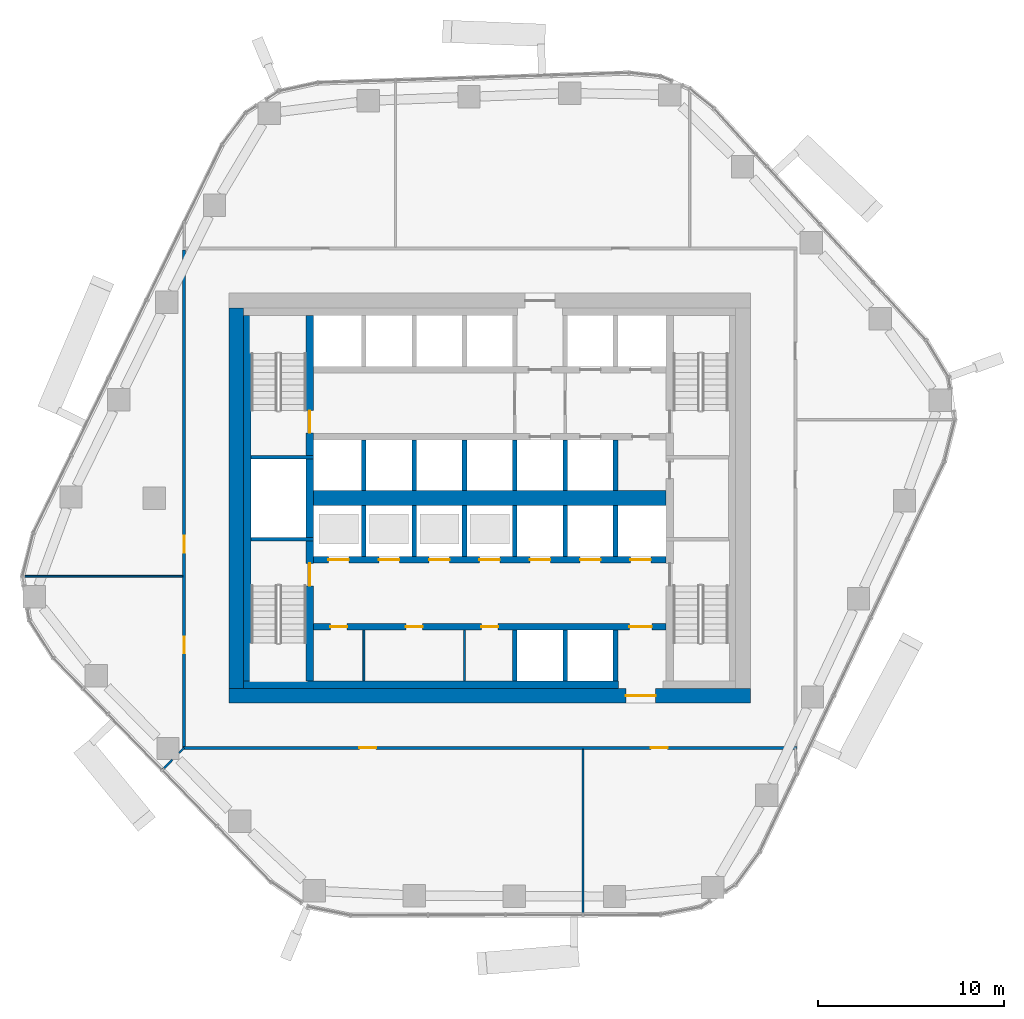
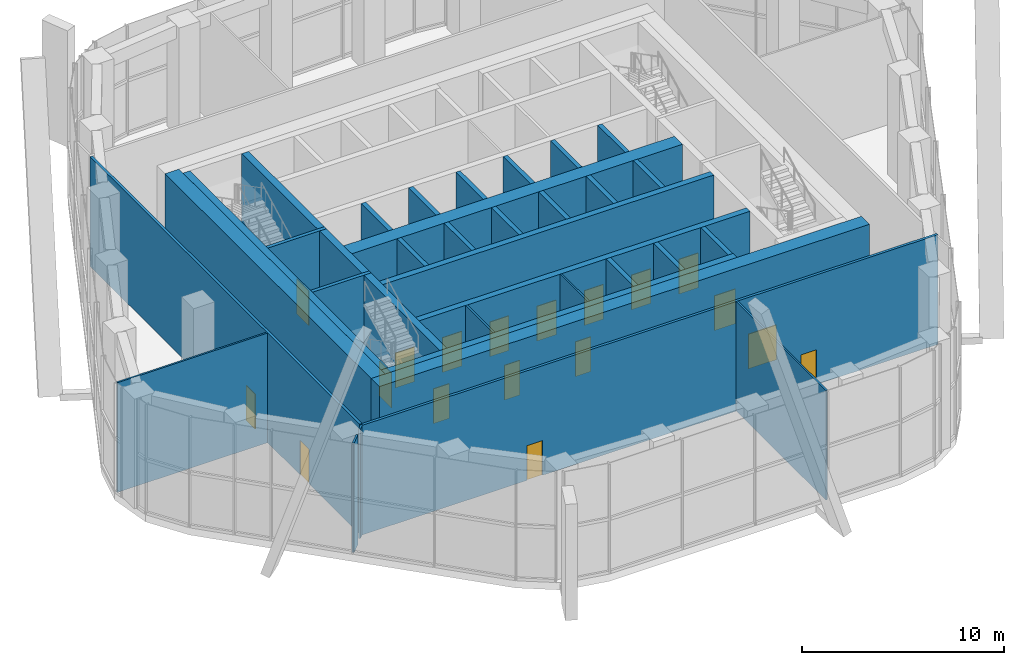
# One storey, part 12 of 20: 35 walls, 18 doors, 18 openings.
"""IFC4 building model written with IfcOpenShell, lengths in metres."""

from ifc_helpers import new_model, si_unit, direction, frame, frame_2d, origin, place, context, subcontext, project, spatial, rectangle, extrude, material, layer, layer_set, type_object, element, fill, save


model = new_model("IFC4")

# Units and contexts
model_context = context("Model", 3, precision=1e-05, world=origin(), true_north=direction((0.0, 1.0)))
body_context = subcontext(model_context, "Body", "Model", "MODEL_VIEW")
ifc_project = project(units=[si_unit("LENGTHUNIT", "METRE"), si_unit("AREAUNIT", "SQUARE_METRE"), si_unit("VOLUMEUNIT", "CUBIC_METRE"), si_unit("PLANEANGLEUNIT", "RADIAN"), si_unit("MASSUNIT", "GRAM", prefix="KILO")], contexts=[model_context])

# Site, building, storey
site_placement = place(None, origin())
site = spatial("IfcSite", under=ifc_project, at=site_placement, CompositionType="ELEMENT")
building_placement = place(site_placement, origin())
building = spatial("IfcBuilding", under=site, at=building_placement, Name="Dongbaek Canopy Tower", CompositionType="ELEMENT")
storey_placement = place(building_placement, frame((0.0, 0.0, 151.60009765625)))
storey = spatial("IfcBuildingStorey", under=building, at=storey_placement, Name="L33", CompositionType="ELEMENT", Elevation=151.60009765625)

# Wall
ifc_material_1 = material(Name="Concrete C60/75", Category="concrete")
ifc_layer_1 = layer(ifc_material_1, 0.800048828125)
ifc_layer_set_1 = layer_set([ifc_layer_1], Name="Core central wall 800 Concrete C60/75")
wall_type_1 = type_object("IfcWallType", Name="Core central wall 800 Concrete C60/75", PredefinedType="SHEAR", material=ifc_layer_set_1)
wall_1_placement = place(storey_placement, frame((-9.449951171875, 0.0, 0.0), z_axis=(0.0, 0.0, 1.0), x_axis=(1.0, 0.0, 0.0)))
element("IfcWall", 1, at=wall_1_placement, inside=storey, type_object=wall_type_1, Name="Core wall", PredefinedType="SHEAR", context=body_context, shape_type="SweptSolid", body=[
    extrude(rectangle(XDim=18.89990234375, YDim=0.800048828125, at=frame_2d((9.449951171875, 0.0))), origin(), (0.0, 0.0, 1.0), 6.619873046875),
])

# Wall, openings, doors
ifc_material_2 = material(Name="Concrete C60/75", Category="concrete")
ifc_layer_2 = layer(ifc_material_2, 0.35009765625)
ifc_layer_set_2 = layer_set([ifc_layer_2], Name="Core lobby wall 350 Concrete C60/75")
wall_type_2 = type_object("IfcWallType", Name="Core lobby wall 350 Concrete C60/75", PredefinedType="SHEAR", material=ifc_layer_set_2)
wall_2_placement = place(storey_placement, frame((-9.449951171875, -3.300048828125, 0.0), z_axis=(0.0, 0.0, 1.0), x_axis=(1.0, 0.0, 0.0)))
wall_2 = element("IfcWall", 2, at=wall_2_placement, inside=storey, type_object=wall_type_2, Name="Core wall", PredefinedType="SHEAR", context=body_context, shape_type="SweptSolid", body=[
    extrude(rectangle(XDim=18.89990234375, YDim=0.35009765625, at=frame_2d((9.449951171875, 0.0))), origin(), (0.0, 0.0, 1.0), 6.619873046875),
])
opening_1_placement = place(wall_2_placement, frame((0.800048828125, 0.0, 0.0)))
opening_1 = element("IfcOpeningElement", 3, at=opening_1_placement, cuts=wall_2, Name="Opening L33-D017", PredefinedType="OPENING", context=body_context, shape_type="SweptSolid", body=[
    extrude(rectangle(XDim=1.10009765625, YDim=2.10009765625, at=frame_2d((0.550048828125, 1.050048828125))), frame((0.0, 0.18505859375, 0.0), z_axis=(0.0, -1.0, 0.0), x_axis=(1.0, 0.0, 0.0)), (0.0, 0.0, 1.0), 0.3701171875),
])
opening_2_placement = place(wall_2_placement, frame((3.5, 0.0, 0.0)))
opening_2 = element("IfcOpeningElement", 4, at=opening_2_placement, cuts=wall_2, Name="Opening L33-D018", PredefinedType="OPENING", context=body_context, shape_type="SweptSolid", body=[
    extrude(rectangle(XDim=1.10009765625, YDim=2.10009765625, at=frame_2d((0.550048828125, 1.050048828125))), frame((0.0, 0.18505859375, 0.0), z_axis=(0.0, -1.0, 0.0), x_axis=(1.0, 0.0, 0.0)), (0.0, 0.0, 1.0), 0.3701171875),
])
opening_3_placement = place(wall_2_placement, frame((6.199951171875, 0.0, 0.0)))
opening_3 = element("IfcOpeningElement", 5, at=opening_3_placement, cuts=wall_2, Name="Opening L33-D019", PredefinedType="OPENING", context=body_context, shape_type="SweptSolid", body=[
    extrude(rectangle(XDim=1.10009765625, YDim=2.10009765625, at=frame_2d((0.550048828125, 1.050048828125))), frame((0.0, 0.18505859375, 0.0), z_axis=(0.0, -1.0, 0.0), x_axis=(1.0, 0.0, 0.0)), (0.0, 0.0, 1.0), 0.3701171875),
])
opening_4_placement = place(wall_2_placement, frame((8.89990234375, 0.0, 0.0)))
opening_4 = element("IfcOpeningElement", 6, at=opening_4_placement, cuts=wall_2, Name="Opening L33-D020", PredefinedType="OPENING", context=body_context, shape_type="SweptSolid", body=[
    extrude(rectangle(XDim=1.10009765625, YDim=2.10009765625, at=frame_2d((0.550048828125, 1.050048828125))), frame((0.0, 0.18505859375, 0.0), z_axis=(0.0, -1.0, 0.0), x_axis=(1.0, 0.0, 0.0)), (0.0, 0.0, 1.0), 0.3701171875),
])
opening_5_placement = place(wall_2_placement, frame((11.60009765625, 0.0, 0.0)))
opening_5 = element("IfcOpeningElement", 7, at=opening_5_placement, cuts=wall_2, Name="Opening L33-D021", PredefinedType="OPENING", context=body_context, shape_type="SweptSolid", body=[
    extrude(rectangle(XDim=1.10009765625, YDim=2.10009765625, at=frame_2d((0.550048828125, 1.050048828125))), frame((0.0, 0.18505859375, 0.0), z_axis=(0.0, -1.0, 0.0), x_axis=(1.0, 0.0, 0.0)), (0.0, 0.0, 1.0), 0.3701171875),
])
opening_6_placement = place(wall_2_placement, frame((14.300048828125, 0.0, 0.0)))
opening_6 = element("IfcOpeningElement", 8, at=opening_6_placement, cuts=wall_2, Name="Opening L33-D022", PredefinedType="OPENING", context=body_context, shape_type="SweptSolid", body=[
    extrude(rectangle(XDim=1.10009765625, YDim=2.10009765625, at=frame_2d((0.550048828125, 1.050048828125))), frame((0.0, 0.18505859375, 0.0), z_axis=(0.0, -1.0, 0.0), x_axis=(1.0, 0.0, 0.0)), (0.0, 0.0, 1.0), 0.3701171875),
])
opening_7_placement = place(wall_2_placement, frame((17.0, 0.0, 0.0)))
opening_7 = element("IfcOpeningElement", 9, at=opening_7_placement, cuts=wall_2, Name="Opening L33-D023", PredefinedType="OPENING", context=body_context, shape_type="SweptSolid", body=[
    extrude(rectangle(XDim=1.10009765625, YDim=2.10009765625, at=frame_2d((0.550048828125, 1.050048828125))), frame((0.0, 0.18505859375, 0.0), z_axis=(0.0, -1.0, 0.0), x_axis=(1.0, 0.0, 0.0)), (0.0, 0.0, 1.0), 0.3701171875),
])
ifc_material_3 = material(Name="Stainless steel", Category="steel")
door_type_1 = type_object("IfcDoorType", Name="Lift landing door 1100 x 2100", OperationType="DOUBLE_DOOR_SLIDING", PredefinedType="DOOR", material=ifc_material_3)
door_1_placement = place(opening_1_placement, origin())
door_1 = element("IfcDoor", 10, at=door_1_placement, inside=storey, type_object=door_type_1, Name="Landing door MR1", OperationType="DOUBLE_DOOR_SLIDING", OverallHeight=2.10009765625, OverallWidth=1.10009765625, PredefinedType="DOOR", context=body_context, shape_type="SweptSolid", body=[
    extrude(rectangle(XDim=1.10009765625, YDim=2.10009765625, at=frame_2d((0.550048828125, 1.050048828125))), frame((0.0, 0.02490234375, 0.0), z_axis=(0.0, -1.0, 0.0), x_axis=(1.0, 0.0, 0.0)), (0.0, 0.0, 1.0), 0.050048828125),
])
fill(opening_1, door_1)
door_2_placement = place(opening_2_placement, origin())
door_2 = element("IfcDoor", 11, at=door_2_placement, inside=storey, type_object=door_type_1, Name="Landing door MR2", OperationType="DOUBLE_DOOR_SLIDING", OverallHeight=2.10009765625, OverallWidth=1.10009765625, PredefinedType="DOOR", context=body_context, shape_type="SweptSolid", body=[
    extrude(rectangle(XDim=1.10009765625, YDim=2.10009765625, at=frame_2d((0.550048828125, 1.050048828125))), frame((0.0, 0.02490234375, 0.0), z_axis=(0.0, -1.0, 0.0), x_axis=(1.0, 0.0, 0.0)), (0.0, 0.0, 1.0), 0.050048828125),
])
fill(opening_2, door_2)
door_3_placement = place(opening_3_placement, origin())
door_3 = element("IfcDoor", 12, at=door_3_placement, inside=storey, type_object=door_type_1, Name="Landing door MR3", OperationType="DOUBLE_DOOR_SLIDING", OverallHeight=2.10009765625, OverallWidth=1.10009765625, PredefinedType="DOOR", context=body_context, shape_type="SweptSolid", body=[
    extrude(rectangle(XDim=1.10009765625, YDim=2.10009765625, at=frame_2d((0.550048828125, 1.050048828125))), frame((0.0, 0.02490234375, 0.0), z_axis=(0.0, -1.0, 0.0), x_axis=(1.0, 0.0, 0.0)), (0.0, 0.0, 1.0), 0.050048828125),
])
fill(opening_3, door_3)
door_4_placement = place(opening_4_placement, origin())
door_4 = element("IfcDoor", 13, at=door_4_placement, inside=storey, type_object=door_type_1, Name="Landing door MR4", OperationType="DOUBLE_DOOR_SLIDING", OverallHeight=2.10009765625, OverallWidth=1.10009765625, PredefinedType="DOOR", context=body_context, shape_type="SweptSolid", body=[
    extrude(rectangle(XDim=1.10009765625, YDim=2.10009765625, at=frame_2d((0.550048828125, 1.050048828125))), frame((0.0, 0.02490234375, 0.0), z_axis=(0.0, -1.0, 0.0), x_axis=(1.0, 0.0, 0.0)), (0.0, 0.0, 1.0), 0.050048828125),
])
fill(opening_4, door_4)
door_5_placement = place(opening_5_placement, origin())
door_5 = element("IfcDoor", 14, at=door_5_placement, inside=storey, type_object=door_type_1, Name="Landing door SH1", OperationType="DOUBLE_DOOR_SLIDING", OverallHeight=2.10009765625, OverallWidth=1.10009765625, PredefinedType="DOOR", context=body_context, shape_type="SweptSolid", body=[
    extrude(rectangle(XDim=1.10009765625, YDim=2.10009765625, at=frame_2d((0.550048828125, 1.050048828125))), frame((0.0, 0.02490234375, 0.0), z_axis=(0.0, -1.0, 0.0), x_axis=(1.0, 0.0, 0.0)), (0.0, 0.0, 1.0), 0.050048828125),
])
fill(opening_5, door_5)
door_6_placement = place(opening_6_placement, origin())
door_6 = element("IfcDoor", 15, at=door_6_placement, inside=storey, type_object=door_type_1, Name="Landing door SH2", OperationType="DOUBLE_DOOR_SLIDING", OverallHeight=2.10009765625, OverallWidth=1.10009765625, PredefinedType="DOOR", context=body_context, shape_type="SweptSolid", body=[
    extrude(rectangle(XDim=1.10009765625, YDim=2.10009765625, at=frame_2d((0.550048828125, 1.050048828125))), frame((0.0, 0.02490234375, 0.0), z_axis=(0.0, -1.0, 0.0), x_axis=(1.0, 0.0, 0.0)), (0.0, 0.0, 1.0), 0.050048828125),
])
fill(opening_6, door_6)
door_7_placement = place(opening_7_placement, origin())
door_7 = element("IfcDoor", 16, at=door_7_placement, inside=storey, type_object=door_type_1, Name="Landing door SV2", OperationType="DOUBLE_DOOR_SLIDING", OverallHeight=2.10009765625, OverallWidth=1.10009765625, PredefinedType="DOOR", context=body_context, shape_type="SweptSolid", body=[
    extrude(rectangle(XDim=1.10009765625, YDim=2.10009765625, at=frame_2d((0.550048828125, 1.050048828125))), frame((0.0, 0.02490234375, 0.0), z_axis=(0.0, -1.0, 0.0), x_axis=(1.0, 0.0, 0.0)), (0.0, 0.0, 1.0), 0.050048828125),
])
fill(opening_7, door_7)

wall_3_placement = place(storey_placement, frame((9.449951171875, -6.89990234375, 0.0), z_axis=(0.0, 0.0, 1.0), x_axis=(-1.0, 0.0, 0.0)))
wall_3 = element("IfcWall", 17, at=wall_3_placement, inside=storey, type_object=wall_type_2, Name="Core wall", PredefinedType="SHEAR", context=body_context, shape_type="SweptSolid", body=[
    extrude(rectangle(XDim=18.89990234375, YDim=0.35009765625, at=frame_2d((9.449951171875, 0.0))), origin(), (0.0, 0.0, 1.0), 6.619873046875),
])
opening_8_placement = place(wall_3_placement, frame((0.75, 0.0, 0.0)))
opening_8 = element("IfcOpeningElement", 18, at=opening_8_placement, cuts=wall_3, Name="Opening L33-D025", PredefinedType="OPENING", context=body_context, shape_type="SweptSolid", body=[
    extrude(rectangle(XDim=1.199951171875, YDim=2.10009765625, at=frame_2d((0.60009765625, 1.050048828125))), frame((0.0, 0.18505859375, 0.0), z_axis=(0.0, -1.0, 0.0), x_axis=(1.0, 0.0, 0.0)), (0.0, 0.0, 1.0), 0.3701171875),
])
opening_9_placement = place(wall_3_placement, frame((17.10009765625, 0.0, 0.0)))
opening_9 = element("IfcOpeningElement", 19, at=opening_9_placement, cuts=wall_3, Name="Opening L33-D026", PredefinedType="OPENING", context=body_context, shape_type="SweptSolid", body=[
    extrude(rectangle(XDim=0.89990234375, YDim=2.10009765625, at=frame_2d((0.449951171875, 1.050048828125))), frame((0.0, 0.18505859375, 0.0), z_axis=(0.0, -1.0, 0.0), x_axis=(1.0, 0.0, 0.0)), (0.0, 0.0, 1.0), 0.3701171875),
])
opening_10_placement = place(wall_3_placement, frame((13.050048828125, 0.0, 0.0)))
opening_10 = element("IfcOpeningElement", 20, at=opening_10_placement, cuts=wall_3, Name="Opening L33-D027", PredefinedType="OPENING", context=body_context, shape_type="SweptSolid", body=[
    extrude(rectangle(XDim=0.89990234375, YDim=2.10009765625, at=frame_2d((0.449951171875, 1.050048828125))), frame((0.0, 0.18505859375, 0.0), z_axis=(0.0, -1.0, 0.0), x_axis=(1.0, 0.0, 0.0)), (0.0, 0.0, 1.0), 0.3701171875),
])
opening_11_placement = place(wall_3_placement, frame((9.0, 0.0, 0.0)))
opening_11 = element("IfcOpeningElement", 21, at=opening_11_placement, cuts=wall_3, Name="Opening L33-D028", PredefinedType="OPENING", context=body_context, shape_type="SweptSolid", body=[
    extrude(rectangle(XDim=0.89990234375, YDim=2.10009765625, at=frame_2d((0.449951171875, 1.050048828125))), frame((0.0, 0.18505859375, 0.0), z_axis=(0.0, -1.0, 0.0), x_axis=(1.0, 0.0, 0.0)), (0.0, 0.0, 1.0), 0.3701171875),
])
ifc_material_4 = material(Name="Steel", Category="steel")
door_type_2 = type_object("IfcDoorType", Name="Core room door 900 x 2100", OperationType="SINGLE_SWING_LEFT", PredefinedType="DOOR", material=ifc_material_4)
door_8_placement = place(opening_9_placement, origin())
door_8 = element("IfcDoor", 22, at=door_8_placement, inside=storey, type_object=door_type_2, Name="Door L33-D026", OperationType="SINGLE_SWING_RIGHT", OverallHeight=2.10009765625, OverallWidth=0.89990234375, PredefinedType="DOOR", context=body_context, shape_type="SweptSolid", body=[
    extrude(rectangle(XDim=0.89990234375, YDim=2.10009765625, at=frame_2d((0.449951171875, 1.050048828125))), frame((0.0, 0.02490234375, 0.0), z_axis=(0.0, -1.0, 0.0), x_axis=(1.0, 0.0, 0.0)), (0.0, 0.0, 1.0), 0.050048828125),
])
fill(opening_9, door_8)
door_9_placement = place(opening_10_placement, origin())
door_9 = element("IfcDoor", 23, at=door_9_placement, inside=storey, type_object=door_type_2, Name="Door L33-D027", OperationType="SINGLE_SWING_LEFT", OverallHeight=2.10009765625, OverallWidth=0.89990234375, PredefinedType="DOOR", context=body_context, shape_type="SweptSolid", body=[
    extrude(rectangle(XDim=0.89990234375, YDim=2.10009765625, at=frame_2d((0.449951171875, 1.050048828125))), frame((0.0, 0.02490234375, 0.0), z_axis=(0.0, -1.0, 0.0), x_axis=(1.0, 0.0, 0.0)), (0.0, 0.0, 1.0), 0.050048828125),
])
fill(opening_10, door_9)
door_10_placement = place(opening_11_placement, origin())
door_10 = element("IfcDoor", 24, at=door_10_placement, inside=storey, type_object=door_type_2, Name="Door L33-D028", OperationType="SINGLE_SWING_RIGHT", OverallHeight=2.10009765625, OverallWidth=0.89990234375, PredefinedType="DOOR", context=body_context, shape_type="SweptSolid", body=[
    extrude(rectangle(XDim=0.89990234375, YDim=2.10009765625, at=frame_2d((0.449951171875, 1.050048828125))), frame((0.0, 0.02490234375, 0.0), z_axis=(0.0, -1.0, 0.0), x_axis=(1.0, 0.0, 0.0)), (0.0, 0.0, 1.0), 0.050048828125),
])
fill(opening_11, door_10)
ifc_material_5 = material(Name="Steel", Category="steel")
door_type_3 = type_object("IfcDoorType", Name="Fire lobby door 1200 x 2100", OperationType="SINGLE_SWING_LEFT", PredefinedType="DOOR", material=ifc_material_5)
door_11_placement = place(opening_8_placement, origin())
door_11 = element("IfcDoor", 25, at=door_11_placement, inside=storey, type_object=door_type_3, Name="Door L33-D025", OperationType="SINGLE_SWING_LEFT", OverallHeight=2.10009765625, OverallWidth=1.199951171875, PredefinedType="DOOR", context=body_context, shape_type="SweptSolid", body=[
    extrude(rectangle(XDim=1.199951171875, YDim=2.10009765625, at=frame_2d((0.60009765625, 1.050048828125))), frame((0.0, 0.02490234375, 0.0), z_axis=(0.0, -1.0, 0.0), x_axis=(1.0, 0.0, 0.0)), (0.0, 0.0, 1.0), 0.050048828125),
])
fill(opening_8, door_11)

# Wall, opening, door
ifc_material_6 = material(Name="Concrete C70/85", Category="concrete")
ifc_layer_3 = layer(ifc_material_6, 0.800048828125)
ifc_layer_set_3 = layer_set([ifc_layer_3], Name="Core outer wall 800 Concrete C70/85")
wall_type_3 = type_object("IfcWallType", Name="Core outer wall 800 Concrete C70/85", PredefinedType="SHEAR", material=ifc_layer_set_3)
wall_4_placement = place(storey_placement, frame((14.0, -10.60009765625, 0.0), z_axis=(0.0, 0.0, 1.0), x_axis=(-1.0, 0.0, 0.0)))
wall_4 = element("IfcWall", 26, at=wall_4_placement, inside=storey, type_object=wall_type_3, Name="Core wall", PredefinedType="SHEAR", context=body_context, shape_type="SweptSolid", body=[
    extrude(rectangle(XDim=28.0, YDim=0.800048828125, at=frame_2d((14.0, 0.0))), origin(), (0.0, 0.0, 1.0), 6.619873046875),
])
opening_12_placement = place(wall_4_placement, frame((5.10009765625, 0.0, 0.0)))
opening_12 = element("IfcOpeningElement", 27, at=opening_12_placement, cuts=wall_4, Name="Opening L33-D024", PredefinedType="OPENING", context=body_context, shape_type="SweptSolid", body=[
    extrude(rectangle(XDim=1.60009765625, YDim=2.10009765625, at=frame_2d((0.800048828125, 1.050048828125))), frame((0.0, 0.409912109375, 0.0), z_axis=(0.0, -1.0, 0.0), x_axis=(1.0, 0.0, 0.0)), (0.0, 0.0, 1.0), 0.820068359375),
])
ifc_material_7 = material(Name="Steel", Category="steel")
door_type_4 = type_object("IfcDoorType", Name="Core exit door 1600 x 2100", OperationType="DOUBLE_DOOR_SINGLE_SWING", PredefinedType="DOOR", material=ifc_material_7)
door_12_placement = place(opening_12_placement, origin())
door_12 = element("IfcDoor", 28, at=door_12_placement, inside=storey, type_object=door_type_4, Name="Core exit door", OperationType="DOUBLE_DOOR_SINGLE_SWING", OverallHeight=2.10009765625, OverallWidth=1.60009765625, PredefinedType="DOOR", context=body_context, shape_type="SweptSolid", body=[
    extrude(rectangle(XDim=1.60009765625, YDim=2.10009765625, at=frame_2d((0.800048828125, 1.050048828125))), frame((0.0, 0.02490234375, 0.0), z_axis=(0.0, -1.0, 0.0), x_axis=(1.0, 0.0, 0.0)), (0.0, 0.0, 1.0), 0.050048828125),
])
fill(opening_12, door_12)

# Walls
wall_5_placement = place(storey_placement, frame((-13.60009765625, -10.199951171875, 0.0), z_axis=(0.0, 0.0, 1.0), x_axis=(0.0, 1.0, 0.0)))
element("IfcWall", 29, at=wall_5_placement, inside=storey, type_object=wall_type_3, Name="Core wall", PredefinedType="SHEAR", context=body_context, shape_type="SweptSolid", body=[
    extrude(rectangle(XDim=20.39990234375, YDim=0.800048828125, at=frame_2d((10.199951171875, 0.0))), origin(), (0.0, 0.0, 1.0), 6.619873046875),
])
ifc_material_8 = material(Name="Concrete C60/75", Category="concrete")
ifc_layer_4 = layer(ifc_material_8, 0.39990234375)
ifc_layer_set_4 = layer_set([ifc_layer_4], Name="Core wall lining 400 Concrete C60/75")
wall_type_4 = type_object("IfcWallType", Name="Core wall lining 400 Concrete C60/75", PredefinedType="SHEAR", material=ifc_layer_set_4)
wall_6_placement = place(storey_placement, frame((6.89990234375, -10.0, 0.0), z_axis=(0.0, 0.0, 1.0), x_axis=(-1.0, 0.0, 0.0)))
element("IfcWall", 30, at=wall_6_placement, inside=storey, type_object=wall_type_4, Name="Core wall lining", PredefinedType="SHEAR", context=body_context, shape_type="SweptSolid", body=[
    extrude(rectangle(XDim=20.099853515625, YDim=0.39990234375, at=frame_2d((10.0498046875, 0.0))), origin(), (0.0, 0.0, 1.0), 6.619873046875),
])
wall_7_placement = place(storey_placement, frame((-13.0, -9.800048828125, 0.0), z_axis=(0.0, 0.0, 1.0), x_axis=(0.0, 1.0, 0.0)))
element("IfcWall", 31, at=wall_7_placement, inside=storey, type_object=wall_type_4, Name="Core wall lining", PredefinedType="SHEAR", context=body_context, shape_type="SweptSolid", body=[
    extrude(rectangle(XDim=19.60009765625, YDim=0.39990234375, at=frame_2d((9.800048828125, 0.0))), origin(), (0.0, 0.0, 1.0), 6.619873046875),
])

# Wall, openings, doors
ifc_material_9 = material(Name="Gypsum board partition, steel stud, 2 x 15 mm fire board", Category="steel")
ifc_layer_5 = layer(ifc_material_9, 0.14990234375)
ifc_layer_set_5 = layer_set([ifc_layer_5], Name="Fire-rated partition 150 gypsum board")
wall_type_5 = type_object("IfcWallType", Name="Fire-rated partition 150 gypsum board", PredefinedType="PARTITIONING", material=ifc_layer_set_5)
wall_8_placement = place(storey_placement, frame((16.47509765625, -13.39990234375, 0.0), z_axis=(0.0, 0.0, 1.0), x_axis=(-1.0, 0.0, 0.0)))
wall_8 = element("IfcWall", 32, at=wall_8_placement, inside=storey, type_object=wall_type_5, Name="Corridor partition", PredefinedType="PARTITIONING", context=body_context, shape_type="SweptSolid", body=[
    extrude(rectangle(XDim=32.9501953125, YDim=0.14990234375, at=frame_2d((16.47509765625, 0.0))), origin(), (0.0, 0.0, 1.0), 6.619873046875),
])
opening_13_placement = place(wall_8_placement, frame((22.56787109375, 0.0, 0.0)))
opening_13 = element("IfcOpeningElement", 33, at=opening_13_placement, cuts=wall_8, Name="Opening L33-D002", PredefinedType="OPENING", context=body_context, shape_type="SweptSolid", body=[
    extrude(rectangle(XDim=0.89990234375, YDim=2.10009765625, at=frame_2d((0.449951171875, 1.050048828125))), frame((0.0, 0.0849609375, 0.0), z_axis=(0.0, -1.0, 0.0), x_axis=(1.0, 0.0, 0.0)), (0.0, 0.0, 1.0), 0.169921875),
])
opening_14_placement = place(wall_8_placement, frame((6.92578125, 0.0, 0.0)))
opening_14 = element("IfcOpeningElement", 34, at=opening_14_placement, cuts=wall_8, Name="Opening L33-D003", PredefinedType="OPENING", context=body_context, shape_type="SweptSolid", body=[
    extrude(rectangle(XDim=0.89990234375, YDim=2.10009765625, at=frame_2d((0.449951171875, 1.050048828125))), frame((0.0, 0.0849609375, 0.0), z_axis=(0.0, -1.0, 0.0), x_axis=(1.0, 0.0, 0.0)), (0.0, 0.0, 1.0), 0.169921875),
])
ifc_material_10 = material(Name="Timber veneered door leaf", Category="wood")
door_type_5 = type_object("IfcDoorType", Name="Room door 900 x 2100", OperationType="SINGLE_SWING_LEFT", PredefinedType="DOOR", material=ifc_material_10)
door_13_placement = place(opening_13_placement, origin())
door_13 = element("IfcDoor", 35, at=door_13_placement, inside=storey, type_object=door_type_5, Name="Door L33-D002", OperationType="SINGLE_SWING_LEFT", OverallHeight=2.10009765625, OverallWidth=0.89990234375, PredefinedType="DOOR", context=body_context, shape_type="SweptSolid", body=[
    extrude(rectangle(XDim=0.89990234375, YDim=2.10009765625, at=frame_2d((0.449951171875, 1.050048828125))), frame((0.0, 0.02490234375, 0.0), z_axis=(0.0, -1.0, 0.0), x_axis=(1.0, 0.0, 0.0)), (0.0, 0.0, 1.0), 0.050048828125),
])
fill(opening_13, door_13)
door_14_placement = place(opening_14_placement, origin())
door_14 = element("IfcDoor", 36, at=door_14_placement, inside=storey, type_object=door_type_5, Name="Door L33-D003", OperationType="SINGLE_SWING_RIGHT", OverallHeight=2.10009765625, OverallWidth=0.89990234375, PredefinedType="DOOR", context=body_context, shape_type="SweptSolid", body=[
    extrude(rectangle(XDim=0.89990234375, YDim=2.10009765625, at=frame_2d((0.449951171875, 1.050048828125))), frame((0.0, 0.02490234375, 0.0), z_axis=(0.0, -1.0, 0.0), x_axis=(1.0, 0.0, 0.0)), (0.0, 0.0, 1.0), 0.050048828125),
])
fill(opening_14, door_14)

wall_9_placement = place(storey_placement, frame((-16.39990234375, -13.324951171875, 0.0), z_axis=(0.0, 0.0, 1.0), x_axis=(0.0, 1.0, 0.0)))
wall_9 = element("IfcWall", 37, at=wall_9_placement, inside=storey, type_object=wall_type_5, Name="Corridor partition", PredefinedType="PARTITIONING", context=body_context, shape_type="SweptSolid", body=[
    extrude(rectangle(XDim=26.64990234375, YDim=0.14990234375, at=frame_2d((13.324951171875, 0.0))), origin(), (0.0, 0.0, 1.0), 6.619873046875),
])
opening_15_placement = place(wall_9_placement, frame((4.993408203125, 0.0, 0.0)))
opening_15 = element("IfcOpeningElement", 38, at=opening_15_placement, cuts=wall_9, Name="Opening L33-D001", PredefinedType="OPENING", context=body_context, shape_type="SweptSolid", body=[
    extrude(rectangle(XDim=0.89990234375, YDim=2.10009765625, at=frame_2d((0.449951171875, 1.050048828125))), frame((0.0, 0.0849609375, 0.0), z_axis=(0.0, -1.0, 0.0), x_axis=(1.0, 0.0, 0.0)), (0.0, 0.0, 1.0), 0.169921875),
])
opening_16_placement = place(wall_9_placement, frame((10.402587890625, 0.0, 0.0)))
opening_16 = element("IfcOpeningElement", 39, at=opening_16_placement, cuts=wall_9, Name="Opening L33-D008", PredefinedType="OPENING", context=body_context, shape_type="SweptSolid", body=[
    extrude(rectangle(XDim=0.89990234375, YDim=2.10009765625, at=frame_2d((0.449951171875, 1.050048828125))), frame((0.0, 0.0849609375, 0.0), z_axis=(0.0, -1.0, 0.0), x_axis=(1.0, 0.0, 0.0)), (0.0, 0.0, 1.0), 0.169921875),
])
door_15_placement = place(opening_15_placement, origin())
door_15 = element("IfcDoor", 40, at=door_15_placement, inside=storey, type_object=door_type_5, Name="Door L33-D001", OperationType="SINGLE_SWING_RIGHT", OverallHeight=2.10009765625, OverallWidth=0.89990234375, PredefinedType="DOOR", context=body_context, shape_type="SweptSolid", body=[
    extrude(rectangle(XDim=0.89990234375, YDim=2.10009765625, at=frame_2d((0.449951171875, 1.050048828125))), frame((0.0, 0.02490234375, 0.0), z_axis=(0.0, -1.0, 0.0), x_axis=(1.0, 0.0, 0.0)), (0.0, 0.0, 1.0), 0.050048828125),
])
fill(opening_15, door_15)
door_16_placement = place(opening_16_placement, origin())
door_16 = element("IfcDoor", 41, at=door_16_placement, inside=storey, type_object=door_type_5, Name="Door L33-D008", OperationType="SINGLE_SWING_LEFT", OverallHeight=2.10009765625, OverallWidth=0.89990234375, PredefinedType="DOOR", context=body_context, shape_type="SweptSolid", body=[
    extrude(rectangle(XDim=0.89990234375, YDim=2.10009765625, at=frame_2d((0.449951171875, 1.050048828125))), frame((0.0, 0.02490234375, 0.0), z_axis=(0.0, -1.0, 0.0), x_axis=(1.0, 0.0, 0.0)), (0.0, 0.0, 1.0), 0.050048828125),
])
fill(opening_16, door_16)

# Walls
ifc_material_11 = material(Name="Concrete C40/50", Category="concrete")
ifc_layer_6 = layer(ifc_material_11, 0.25)
ifc_layer_set_6 = layer_set([ifc_layer_6], Name="Lift shaft wall 250 Concrete C40/50")
wall_type_6 = type_object("IfcWallType", Name="Lift shaft wall 250 Concrete C40/50", PredefinedType="SOLIDWALL", material=ifc_layer_set_6)
for number, where, z_axis, x_axis, name in (
    (42, (6.75, -9.800048828125, 0.0), (0.0, 0.0, 1.0), (0.0, 1.0, 0.0), "Lift shaft wall"),
    (43, (6.75, -3.125, 0.0), (0.0, 0.0, 1.0), (0.0, 1.0, 0.0), "Lift shaft wall"),
    (44, (6.75, 0.39990234375, 0.0), (0.0, 0.0, 1.0), (0.0, 1.0, 0.0), "Lift shaft wall"),
    (45, (4.050048828125, -9.800048828125, 0.0), (0.0, 0.0, 1.0), (0.0, 1.0, 0.0), "Lift shaft wall"),
    (46, (4.050048828125, -3.125, 0.0), (0.0, 0.0, 1.0), (0.0, 1.0, 0.0), "Lift shaft wall"),
    (47, (4.050048828125, 0.39990234375, 0.0), (0.0, 0.0, 1.0), (0.0, 1.0, 0.0), "Lift shaft wall"),
    (48, (1.35009765625, -9.800048828125, 0.0), (0.0, 0.0, 1.0), (0.0, 1.0, 0.0), "Lift shaft wall"),
    (49, (1.35009765625, -3.125, 0.0), (0.0, 0.0, 1.0), (0.0, 1.0, 0.0), "Lift shaft wall"),
    (50, (1.35009765625, 0.39990234375, 0.0), (0.0, 0.0, 1.0), (0.0, 1.0, 0.0), "Lift shaft wall"),
    (51, (-1.35009765625, -3.125, 0.0), (0.0, 0.0, 1.0), (0.0, 1.0, 0.0), "Lift shaft wall"),
    (52, (-1.35009765625, 0.39990234375, 0.0), (0.0, 0.0, 1.0), (0.0, 1.0, 0.0), "Lift shaft wall"),
    (53, (-4.050048828125, -3.125, 0.0), (0.0, 0.0, 1.0), (0.0, 1.0, 0.0), "Lift shaft wall"),
    (54, (-4.050048828125, 0.39990234375, 0.0), (0.0, 0.0, 1.0), (0.0, 1.0, 0.0), "Lift shaft wall"),
    (55, (-6.75, -3.125, 0.0), (0.0, 0.0, 1.0), (0.0, 1.0, 0.0), "Lift shaft wall"),
    (56, (-6.75, 0.39990234375, 0.0), (0.0, 0.0, 1.0), (0.0, 1.0, 0.0), "Lift shaft wall"),
):
    element("IfcWall", number, at=place(storey_placement, frame(where, z_axis=z_axis, x_axis=x_axis)), inside=storey, type_object=wall_type_6, Name=name, PredefinedType="SOLIDWALL", context=body_context, shape_type="SweptSolid", body=[
        extrude(rectangle(XDim=2.72509765625, YDim=0.25, at=frame_2d((1.362548828125, 0.0))), origin(), (0.0, 0.0, 1.0), 6.619873046875),
    ])
ifc_material_12 = material(Name="Gypsum board partition, steel stud, 2 x 12.5 mm board", Category="steel")
ifc_layer_7 = layer(ifc_material_12, 0.10009765625)
ifc_layer_set_7 = layer_set([ifc_layer_7], Name="Partition 100 gypsum board")
wall_type_7 = type_object("IfcWallType", Name="Partition 100 gypsum board", PredefinedType="PARTITIONING", material=ifc_layer_set_7)
wall_10_placement = place(storey_placement, frame((-25.0537109375, -4.18994140625, 0.0), z_axis=(0.0, 0.0, 1.0), x_axis=(1.0, 0.0, 0.0)))
element("IfcWall", 57, at=wall_10_placement, inside=storey, type_object=wall_type_7, Name="Partition", PredefinedType="PARTITIONING", context=body_context, shape_type="SweptSolid", body=[
    extrude(rectangle(XDim=8.57861328125, YDim=0.10009765625, at=frame_2d((4.289306640625, 0.0))), origin(), (0.0, 0.0, 1.0), 6.619873046875),
])
wall_11_placement = place(storey_placement, frame((-17.55029296875, -14.568115234375, 0.0), z_axis=(0.0, 0.0, 1.0), x_axis=(0.701568764215, 0.712601760507, 0.0)))
element("IfcWall", 58, at=wall_11_placement, inside=storey, type_object=wall_type_7, Name="Partition", PredefinedType="PARTITIONING", context=body_context, shape_type="SweptSolid", body=[
    extrude(rectangle(XDim=0.75244140625, YDim=0.10009765625, at=frame_2d((0.376220703125, 0.0))), origin(), (0.0, 0.0, 1.0), 6.619873046875),
])
wall_12_placement = place(storey_placement, frame((-16.657958984375, -13.66162109375, 0.0), z_axis=(0.0, 0.0, 1.0), x_axis=(0.701770352778, 0.712403236911, 0.0)))
element("IfcWall", 59, at=wall_12_placement, inside=storey, type_object=wall_type_7, Name="Partition", PredefinedType="PARTITIONING", context=body_context, shape_type="SweptSolid", body=[
    extrude(rectangle(XDim=0.367431640625, YDim=0.10009765625, at=frame_2d((0.18359375, 0.0))), origin(), (0.0, 0.0, 1.0), 6.619873046875),
])
wall_13_placement = place(storey_placement, frame((5.009033203125, -22.34033203125, 0.0), z_axis=(0.0, 0.0, 1.0), x_axis=(0.0, 1.0, 0.0)))
element("IfcWall", 60, at=wall_13_placement, inside=storey, type_object=wall_type_7, Name="Partition", PredefinedType="PARTITIONING", context=body_context, shape_type="SweptSolid", body=[
    extrude(rectangle(XDim=8.865234375, YDim=0.10009765625, at=frame_2d((4.4326171875, 0.0))), origin(), (0.0, 0.0, 1.0), 6.619873046875),
])
for number, where, z_axis, x_axis, name in (
    (61, (-1.35009765625, -9.800048828125, 0.0), (0.0, 0.0, 1.0), (0.0, 1.0, 0.0), "Core partition"),
    (62, (-6.75, -9.800048828125, 0.0), (0.0, 0.0, 1.0), (0.0, 1.0, 0.0), "Core partition"),
):
    element("IfcWall", number, at=place(storey_placement, frame(where, z_axis=z_axis, x_axis=x_axis)), inside=storey, type_object=wall_type_7, Name=name, PredefinedType="PARTITIONING", context=body_context, shape_type="SweptSolid", body=[
        extrude(rectangle(XDim=2.72509765625, YDim=0.10009765625, at=frame_2d((1.362548828125, 0.0))), origin(), (0.0, 0.0, 1.0), 6.619873046875),
    ])
ifc_material_13 = material(Name="Concrete C60/75", Category="concrete")
ifc_layer_8 = layer(ifc_material_13, 0.199951171875)
ifc_layer_set_8 = layer_set([ifc_layer_8], Name="Riser wall 200 Concrete C60/75")
wall_type_8 = type_object("IfcWallType", Name="Riser wall 200 Concrete C60/75", PredefinedType="SHEAR", material=ifc_layer_set_8)
for number, where, z_axis, x_axis, name in (
    (63, (-9.449951171875, 2.199951171875, 0.0), (0.0, 0.0, 1.0), (-1.0, 0.0, 0.0), "Riser wall"),
    (64, (-9.449951171875, -2.199951171875, 0.0), (0.0, 0.0, 1.0), (-1.0, 0.0, 0.0), "Riser wall"),
):
    element("IfcWall", number, at=place(storey_placement, frame(where, z_axis=z_axis, x_axis=x_axis)), inside=storey, type_object=wall_type_8, Name=name, PredefinedType="SHEAR", context=body_context, shape_type="SweptSolid", body=[
        extrude(rectangle(XDim=3.35009765625, YDim=0.199951171875, at=frame_2d((1.675048828125, 0.0))), origin(), (0.0, 0.0, 1.0), 6.619873046875),
    ])

# Wall, opening, door
ifc_material_14 = material(Name="Concrete C60/75", Category="concrete")
ifc_layer_9 = layer(ifc_material_14, 0.39990234375)
ifc_layer_set_9 = layer_set([ifc_layer_9], Name="Stair wall 400 Concrete C60/75")
wall_type_9 = type_object("IfcWallType", Name="Stair wall 400 Concrete C60/75", PredefinedType="SHEAR", material=ifc_layer_set_9)
wall_14_placement = place(storey_placement, frame((-9.64990234375, -9.800048828125, 0.0), z_axis=(0.0, 0.0, 1.0), x_axis=(0.0, 1.0, 0.0)))
wall_14 = element("IfcWall", 65, at=wall_14_placement, inside=storey, type_object=wall_type_9, Name="Stair wall", PredefinedType="SHEAR", context=body_context, shape_type="SweptSolid", body=[
    extrude(rectangle(XDim=7.5, YDim=0.39990234375, at=frame_2d((3.75, 0.0))), origin(), (0.0, 0.0, 1.0), 6.619873046875),
])
opening_17_placement = place(wall_14_placement, frame((5.10009765625, 0.0, 0.0)))
opening_17 = element("IfcOpeningElement", 66, at=opening_17_placement, cuts=wall_14, Name="Opening L33-D032", PredefinedType="OPENING", context=body_context, shape_type="SweptSolid", body=[
    extrude(rectangle(XDim=1.199951171875, YDim=2.10009765625, at=frame_2d((0.60009765625, 1.050048828125))), frame((0.0, 0.2099609375, 0.0), z_axis=(0.0, -1.0, 0.0), x_axis=(1.0, 0.0, 0.0)), (0.0, 0.0, 1.0), 0.419921875),
])
ifc_material_15 = material(Name="Steel", Category="steel")
door_type_6 = type_object("IfcDoorType", Name="Stair door 1200 x 2100", OperationType="SINGLE_SWING_LEFT", PredefinedType="DOOR", material=ifc_material_15)
door_17_placement = place(opening_17_placement, origin())
door_17 = element("IfcDoor", 67, at=door_17_placement, inside=storey, type_object=door_type_6, Name="Stair D door", OperationType="SINGLE_SWING_LEFT", OverallHeight=2.10009765625, OverallWidth=1.199951171875, PredefinedType="DOOR", context=body_context, shape_type="SweptSolid", body=[
    extrude(rectangle(XDim=1.199951171875, YDim=2.10009765625, at=frame_2d((0.60009765625, 1.050048828125))), frame((0.0, 0.02490234375, 0.0), z_axis=(0.0, -1.0, 0.0), x_axis=(1.0, 0.0, 0.0)), (0.0, 0.0, 1.0), 0.050048828125),
])
fill(opening_17, door_17)

# Wall
wall_15_placement = place(storey_placement, frame((-9.64990234375, -2.10009765625, 0.0), z_axis=(0.0, 0.0, 1.0), x_axis=(0.0, 1.0, 0.0)))
element("IfcWall", 68, at=wall_15_placement, inside=storey, type_object=wall_type_9, Name="Stair wall", PredefinedType="SHEAR", context=body_context, shape_type="SweptSolid", body=[
    extrude(rectangle(XDim=4.2001953125, YDim=0.39990234375, at=frame_2d((2.10009765625, 0.0))), origin(), (0.0, 0.0, 1.0), 6.619873046875),
])

# Wall, opening, door
wall_16_placement = place(storey_placement, frame((-9.64990234375, 2.300048828125, 0.0), z_axis=(0.0, 0.0, 1.0), x_axis=(0.0, 1.0, 0.0)))
wall_16 = element("IfcWall", 69, at=wall_16_placement, inside=storey, type_object=wall_type_9, Name="Stair wall", PredefinedType="SHEAR", context=body_context, shape_type="SweptSolid", body=[
    extrude(rectangle(XDim=7.5, YDim=0.39990234375, at=frame_2d((3.75, 0.0))), origin(), (0.0, 0.0, 1.0), 6.619873046875),
])
opening_18_placement = place(wall_16_placement, frame((1.199951171875, 0.0, 0.0)))
opening_18 = element("IfcOpeningElement", 70, at=opening_18_placement, cuts=wall_16, Name="Opening L33-D030", PredefinedType="OPENING", context=body_context, shape_type="SweptSolid", body=[
    extrude(rectangle(XDim=1.199951171875, YDim=2.10009765625, at=frame_2d((0.60009765625, 1.050048828125))), frame((0.0, 0.2099609375, 0.0), z_axis=(0.0, -1.0, 0.0), x_axis=(1.0, 0.0, 0.0)), (0.0, 0.0, 1.0), 0.419921875),
])
door_18_placement = place(opening_18_placement, origin())
door_18 = element("IfcDoor", 71, at=door_18_placement, inside=storey, type_object=door_type_6, Name="Stair C door", OperationType="SINGLE_SWING_RIGHT", OverallHeight=2.10009765625, OverallWidth=1.199951171875, PredefinedType="DOOR", context=body_context, shape_type="SweptSolid", body=[
    extrude(rectangle(XDim=1.199951171875, YDim=2.10009765625, at=frame_2d((0.60009765625, 1.050048828125))), frame((0.0, 0.02490234375, 0.0), z_axis=(0.0, -1.0, 0.0), x_axis=(1.0, 0.0, 0.0)), (0.0, 0.0, 1.0), 0.050048828125),
])
fill(opening_18, door_18)

save(model, "model.ifc")
